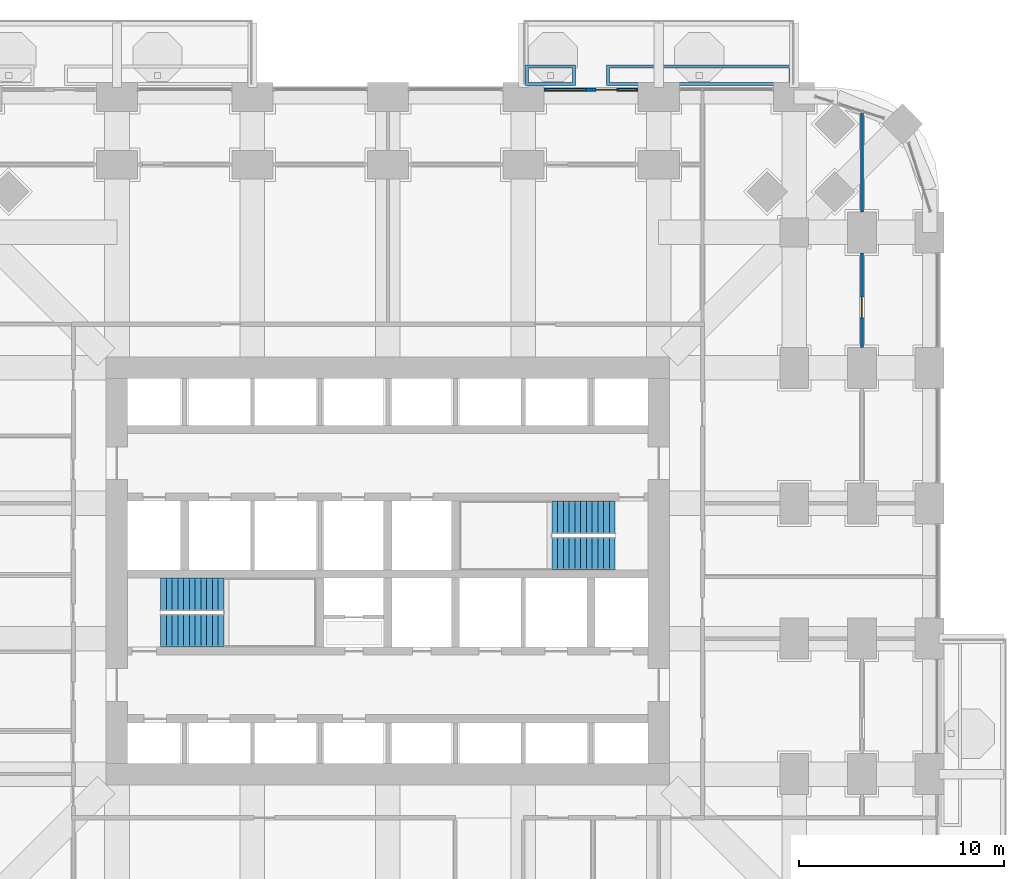
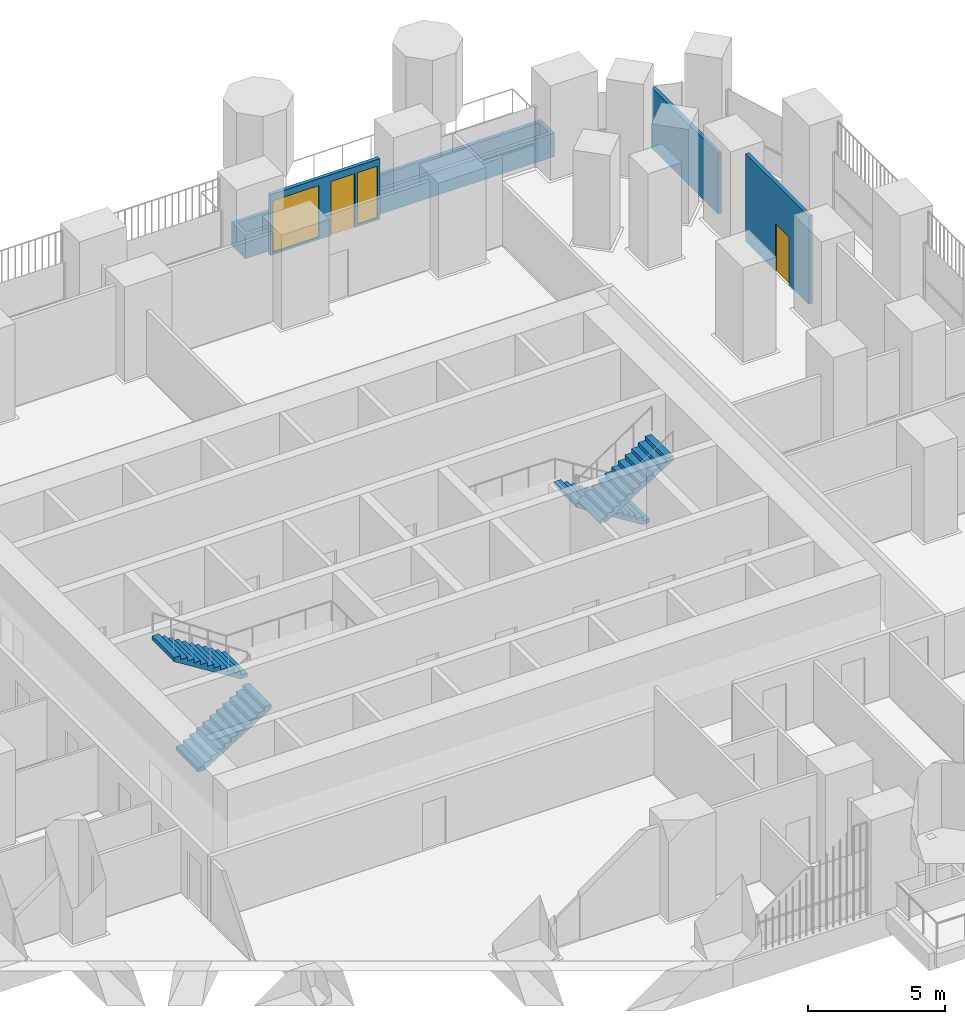
# One storey, part 20 of 25: 5 walls, 4 stair flights, 2 doors, 2 windows, 4 openings, 2 elements without a shape of their own.
"""IFC4 building model written with IfcOpenShell, lengths in metres."""

from ifc_helpers import new_model, si_unit, direction, frame, frame_2d, origin, place, context, subcontext, project, spatial, polyline, rectangle, outline, extrude, material, layer, layer_set, type_object, element, fill, aggregate, save


model = new_model("IFC4")

# Units and contexts
model_context = context("Model", 3, precision=1e-05, world=origin(), true_north=direction((0.0, 1.0)))
body_context = subcontext(model_context, "Body", "Model", "MODEL_VIEW")
ifc_project = project(units=[si_unit("LENGTHUNIT", "METRE"), si_unit("AREAUNIT", "SQUARE_METRE"), si_unit("VOLUMEUNIT", "CUBIC_METRE"), si_unit("PLANEANGLEUNIT", "RADIAN"), si_unit("MASSUNIT", "GRAM", prefix="KILO")], contexts=[model_context])

# Site, building, storey
site_placement = place(None, origin())
site = spatial("IfcSite", under=ifc_project, at=site_placement, CompositionType="ELEMENT")
building_placement = place(site_placement, origin())
building = spatial("IfcBuilding", under=site, at=building_placement, Name="Cobogo Forest Laboratory Tower", CompositionType="ELEMENT")
storey_placement = place(building_placement, frame((0.0, 0.0, 21.300048828125)))
storey = spatial("IfcBuildingStorey", under=building, at=storey_placement, Name="L04", CompositionType="ELEMENT", Elevation=21.300048828125)

# Wall, openings, door, windows
ifc_material_1 = material(Name="Aluminium framed glazed screen", Category="aluminium")
ifc_layer_1 = layer(ifc_material_1, 0.14990234375)
ifc_layer_set_1 = layer_set([ifc_layer_1], Name="GS1 glazed door screen 150")
wall_type_1 = type_object("IfcWallType", Name="GS1 glazed door screen 150", PredefinedType="SOLIDWALL", material=ifc_layer_set_1)
wall_1_placement = place(storey_placement, frame((38.60009765625, 46.550048828125, 0.0), z_axis=(0.0, 0.0, 1.0), x_axis=(-1.0, 0.0, 0.0)))
wall_1 = element("IfcWall", 1, at=wall_1_placement, inside=storey, type_object=wall_type_1, Name="Door screen BAL-N2 L04", PredefinedType="SOLIDWALL", context=body_context, shape_type="SweptSolid", body=[
    extrude(rectangle(XDim=4.60009765625, YDim=0.14990234375, at=frame_2d((2.300048828125, 0.0))), origin(), (0.0, 0.0, 1.0), 2.699951171875),
])
opening_1_placement = place(wall_1_placement, frame((1.050048828125, 0.0, 0.0)))
opening_1 = element("IfcOpeningElement", 2, at=opening_1_placement, cuts=wall_1, Name="Opening L04-D43", PredefinedType="OPENING", context=body_context, shape_type="SweptSolid", body=[
    extrude(rectangle(XDim=1.0, YDim=2.39990234375, at=frame_2d((0.5, 1.199951171875))), frame((0.0, 0.0849609375, 0.0), z_axis=(0.0, -1.0, 0.0), x_axis=(1.0, 0.0, 0.0)), (0.0, 0.0, 1.0), 0.169921875),
])
opening_2_placement = place(wall_1_placement, frame((0.10009765625, 0.0, 0.10009765625)))
opening_2 = element("IfcOpeningElement", 3, at=opening_2_placement, cuts=wall_1, Name="Opening L04-W12", PredefinedType="OPENING", context=body_context, shape_type="SweptSolid", body=[
    extrude(rectangle(XDim=0.85009765625, YDim=2.300048828125, at=frame_2d((0.425048828125, 1.14990234375))), frame((0.0, 0.0849609375, 0.0), z_axis=(0.0, -1.0, 0.0), x_axis=(1.0, 0.0, 0.0)), (0.0, 0.0, 1.0), 0.169921875),
])
opening_3_placement = place(wall_1_placement, frame((2.550048828125, 0.0, 0.10009765625)))
opening_3 = element("IfcOpeningElement", 4, at=opening_3_placement, cuts=wall_1, Name="Opening L04-W11", PredefinedType="OPENING", context=body_context, shape_type="SweptSolid", body=[
    extrude(rectangle(XDim=1.949951171875, YDim=2.300048828125, at=frame_2d((0.97509765625, 1.14990234375))), frame((0.0, 0.0849609375, 0.0), z_axis=(0.0, -1.0, 0.0), x_axis=(1.0, 0.0, 0.0)), (0.0, 0.0, 1.0), 0.169921875),
])
ifc_material_2 = material(Name="Aluminium glazed door", Category="aluminium")
door_type_1 = type_object("IfcDoorType", Name="DB1 balcony door 1000 glazed", OperationType="SINGLE_SWING_LEFT", PredefinedType="DOOR", material=ifc_material_2)
door_1_placement = place(opening_1_placement, origin())
door_1 = element("IfcDoor", 5, at=door_1_placement, inside=storey, type_object=door_type_1, Name="Door L04-BAL-N2", OperationType="SINGLE_SWING_LEFT", OverallHeight=2.39990234375, OverallWidth=1.0, PredefinedType="DOOR", context=body_context, shape_type="SweptSolid", body=[
    extrude(rectangle(XDim=1.0, YDim=2.39990234375, at=frame_2d((0.5, 1.199951171875))), frame((0.0, 0.02490234375, 0.0), z_axis=(0.0, -1.0, 0.0), x_axis=(1.0, 0.0, 0.0)), (0.0, 0.0, 1.0), 0.050048828125),
])
fill(opening_1, door_1)
ifc_material_3 = material(Name="Aluminium framed glazing", Category="aluminium")
window_type_1 = type_object("IfcWindowType", Name="WG1 fixed glazed light 1950x2300", PartitioningType="SINGLE_PANEL", PredefinedType="WINDOW", material=ifc_material_3)
window_1_placement = place(opening_3_placement, origin())
window_1 = element("IfcWindow", 6, at=window_1_placement, inside=storey, type_object=window_type_1, Name="Window L04-BAL-N2-2", OverallHeight=2.300048828125, OverallWidth=1.949951171875, PartitioningType="SINGLE_PANEL", PredefinedType="WINDOW", context=body_context, shape_type="SweptSolid", body=[
    extrude(rectangle(XDim=1.949951171875, YDim=2.300048828125, at=frame_2d((0.97509765625, 1.14990234375))), frame((0.0, 0.030029296875, 0.0), z_axis=(0.0, -1.0, 0.0), x_axis=(1.0, 0.0, 0.0)), (0.0, 0.0, 1.0), 0.06005859375),
])
fill(opening_3, window_1)
window_type_2 = type_object("IfcWindowType", Name="WG2 fixed glazed light 850x2300", PartitioningType="SINGLE_PANEL", PredefinedType="WINDOW", material=ifc_material_3)
window_2_placement = place(opening_2_placement, origin())
window_2 = element("IfcWindow", 7, at=window_2_placement, inside=storey, type_object=window_type_2, Name="Window L04-BAL-N2-1", OverallHeight=2.300048828125, OverallWidth=0.85009765625, PartitioningType="SINGLE_PANEL", PredefinedType="WINDOW", context=body_context, shape_type="SweptSolid", body=[
    extrude(rectangle(XDim=0.85009765625, YDim=2.300048828125, at=frame_2d((0.425048828125, 1.14990234375))), frame((0.0, 0.030029296875, 0.0), z_axis=(0.0, -1.0, 0.0), x_axis=(1.0, 0.0, 0.0)), (0.0, 0.0, 1.0), 0.06005859375),
])
fill(opening_2, window_2)

# Wall, opening, door
ifc_material_4 = material(Name="Gypsum board on steel studs", Category="steel")
ifc_layer_2 = layer(ifc_material_4, 0.14990234375)
ifc_layer_set_2 = layer_set([ifc_layer_2], Name="PT1 laboratory partition 150")
wall_type_2 = type_object("IfcWallType", Name="PT1 laboratory partition 150", PredefinedType="PARTITIONING", material=ifc_layer_set_2)
wall_2_placement = place(storey_placement, frame((49.5, 34.0, 0.0), z_axis=(0.0, 0.0, 1.0), x_axis=(0.0, 1.0, 0.0)))
wall_2 = element("IfcWall", 8, at=wall_2_placement, inside=storey, type_object=wall_type_2, Name="Partition STRIP-E-4 L04", PredefinedType="PARTITIONING", context=body_context, shape_type="SweptSolid", body=[
    extrude(rectangle(XDim=4.60009765625, YDim=0.14990234375, at=frame_2d((2.300048828125, 0.0))), origin(), (0.0, 0.0, 1.0), 3.89990234375),
])
opening_4_placement = place(wall_2_placement, frame((1.442138671875, 0.0, 0.0)))
opening_4 = element("IfcOpeningElement", 9, at=opening_4_placement, cuts=wall_2, Name="Opening L04-D39", PredefinedType="OPENING", context=body_context, shape_type="SweptSolid", body=[
    extrude(rectangle(XDim=1.0, YDim=2.10009765625, at=frame_2d((0.5, 1.050048828125))), frame((0.0, 0.0849609375, 0.0), z_axis=(0.0, -1.0, 0.0), x_axis=(1.0, 0.0, 0.0)), (0.0, 0.0, 1.0), 0.169921875),
])
ifc_material_5 = material(Name="Timber fire door", Category="wood")
door_type_2 = type_object("IfcDoorType", Name="FD2 fire door 1000 EI2 30", OperationType="SINGLE_SWING_LEFT", PredefinedType="DOOR", material=ifc_material_5)
door_2_placement = place(opening_4_placement, origin())
door_2 = element("IfcDoor", 10, at=door_2_placement, inside=storey, type_object=door_type_2, Name="Door L04-E2W", OperationType="SINGLE_SWING_LEFT", OverallHeight=2.10009765625, OverallWidth=1.0, PredefinedType="DOOR", context=body_context, shape_type="SweptSolid", body=[
    extrude(rectangle(XDim=1.0, YDim=2.10009765625, at=frame_2d((0.5, 1.050048828125))), frame((0.0, 0.02490234375, 0.0), z_axis=(0.0, -1.0, 0.0), x_axis=(1.0, 0.0, 0.0)), (0.0, 0.0, 1.0), 0.050048828125),
])
fill(opening_4, door_2)

# Walls
wall_3_placement = place(storey_placement, frame((49.5, 40.60009765625, 0.0), z_axis=(0.0, 0.0, 1.0), x_axis=(0.0, 1.0, 0.0)))
element("IfcWall", 11, at=wall_3_placement, inside=storey, type_object=wall_type_2, Name="Partition STRIP-E-5 L04", PredefinedType="PARTITIONING", context=body_context, shape_type="SweptSolid", body=[
    extrude(rectangle(XDim=4.823974609375, YDim=0.14990234375, at=frame_2d((2.412109375, 0.0))), origin(), (0.0, 0.0, 1.0), 2.699951171875),
])
ifc_material_6 = material(Name="Concrete HA-40 (C40/50)", Category="concrete")
ifc_layer_3 = layer(ifc_material_6, 0.14990234375)
ifc_layer_set_3 = layer_set([ifc_layer_3], Name="Planter box 1000x1050")
wall_type_3 = type_object("IfcWallType", Name="Planter box 1000x1050", PredefinedType="USERDEFINED", material=ifc_layer_set_3)
wall_4_placement = place(storey_placement, origin())
element("IfcWall", 12, at=wall_4_placement, inside=storey, type_object=wall_type_3, Name="Planter BAL-N2-1 L04", ObjectType="PLANTER", PredefinedType="USERDEFINED", context=body_context, shape_type="SweptSolid", body=[
    extrude(outline(polyline([(33.10009765625, 46.75), (35.550048828125, 46.75), (35.550048828125, 47.75), (33.10009765625, 47.75), (33.10009765625, 46.75)]), holes=[polyline([(33.25, 46.89990234375), (35.39990234375, 46.89990234375), (35.39990234375, 47.60009765625), (33.25, 47.60009765625), (33.25, 46.89990234375)])]), origin(), (0.0, 0.0, 1.0), 1.050048828125),
])
wall_5_placement = place(storey_placement, origin())
element("IfcWall", 13, at=wall_5_placement, inside=storey, type_object=wall_type_3, Name="Planter BAL-N2-2 L04", ObjectType="PLANTER", PredefinedType="USERDEFINED", context=body_context, shape_type="SweptSolid", body=[
    extrude(outline(polyline([(37.050048828125, 46.75), (46.10009765625, 46.75), (46.10009765625, 47.75), (37.050048828125, 47.75), (37.050048828125, 46.75)]), holes=[polyline([(37.199951171875, 46.89990234375), (45.949951171875, 46.89990234375), (45.949951171875, 47.60009765625), (37.199951171875, 47.60009765625), (37.199951171875, 46.89990234375)])]), origin(), (0.0, 0.0, 1.0), 1.050048828125),
])

# Stair, stair flights
ifc_material_7 = material(Name="Precast concrete HA-40 (C40/50)", Category="concrete")
stair_type = type_object("IfcStairType", Name="ST24 exit stair 24 risers", PredefinedType="HALF_TURN_STAIR", material=ifc_material_7)
stair_1_placement = place(storey_placement, origin())
stair_1 = element("IfcStair", 14, at=stair_1_placement, inside=storey, type_object=stair_type, Name="Stair 1 L04 to L05", PredefinedType="HALF_TURN_STAIR")
stair_flight_type = type_object("IfcStairFlightType", Name="ST stair flight 280 going", PredefinedType="STRAIGHT", material=ifc_material_7)
stair_flight_1_placement = place(storey_placement, frame((15.324951171875, 20.199951171875, 0.0), z_axis=(0.0, 0.0, 1.0), x_axis=(1.0, 0.0, 0.0)))
stair_flight_1 = element("IfcStairFlight", 15, at=stair_flight_1_placement, type_object=stair_flight_type, Name="ST1 flight 1", NumberOfRisers=12, NumberOfTreads=11, PredefinedType="STRAIGHT", RiserHeight=0.175, TreadLength=0.28, context=body_context, shape_type="SweptSolid", body=[
    extrude(outline(polyline([(0.0, 0.0), (0.0, 0.175048828125), (0.280029296875, 0.175048828125), (0.280029296875, 0.35009765625), (0.56005859375, 0.35009765625), (0.56005859375, 0.52490234375), (0.840087890625, 0.52490234375), (0.840087890625, 0.699951171875), (1.1201171875, 0.699951171875), (1.1201171875, 0.875), (1.39990234375, 0.875), (1.39990234375, 1.050048828125), (1.679931640625, 1.050048828125), (1.679931640625, 1.22509765625), (1.9599609375, 1.22509765625), (1.9599609375, 1.39990234375), (2.239990234375, 1.39990234375), (2.239990234375, 1.574951171875), (2.52001953125, 1.574951171875), (2.52001953125, 1.75), (2.800048828125, 1.75), (2.800048828125, 1.925048828125), (3.080078125, 1.925048828125), (3.080078125, 2.10009765625), (3.080078125, 1.748291015625), (0.28271484375, 0.0), (0.0, 0.0)])), frame((0.0, 0.800048828125, 0.0), z_axis=(0.0, -1.0, 0.0), x_axis=(1.0, 0.0, 0.0)), (0.0, 0.0, 1.0), 1.60009765625),
])
stair_flight_2_placement = place(storey_placement, frame((18.405029296875, 21.949951171875, 2.099853515625), z_axis=(0.0, 0.0, 1.0), x_axis=(-1.0, 0.0, 0.0)))
stair_flight_2 = element("IfcStairFlight", 16, at=stair_flight_2_placement, type_object=stair_flight_type, Name="ST1 flight 2", NumberOfRisers=12, NumberOfTreads=11, PredefinedType="STRAIGHT", RiserHeight=0.175, TreadLength=0.28, context=body_context, shape_type="SweptSolid", body=[
    extrude(outline(polyline([(0.0, 0.0), (0.0, 0.175048828125), (0.280029296875, 0.175048828125), (0.280029296875, 0.35009765625), (0.56005859375, 0.35009765625), (0.56005859375, 0.52490234375), (0.840087890625, 0.52490234375), (0.840087890625, 0.699951171875), (1.1201171875, 0.699951171875), (1.1201171875, 0.875), (1.39990234375, 0.875), (1.39990234375, 1.050048828125), (1.679931640625, 1.050048828125), (1.679931640625, 1.22509765625), (1.9599609375, 1.22509765625), (1.9599609375, 1.39990234375), (2.239990234375, 1.39990234375), (2.239990234375, 1.574951171875), (2.52001953125, 1.574951171875), (2.52001953125, 1.75), (2.800048828125, 1.75), (2.800048828125, 1.925048828125), (3.080078125, 1.925048828125), (3.080078125, 2.10009765625), (3.080078125, 1.748291015625), (0.28271484375, 0.0), (0.0, 0.0)])), frame((0.0, 0.800048828125, 0.0), z_axis=(0.0, -1.0, 0.0), x_axis=(1.0, 0.0, 0.0)), (0.0, 0.0, 1.0), 1.60009765625),
])
aggregate(stair_1, [stair_flight_1, stair_flight_2])

stair_2_placement = place(storey_placement, origin())
stair_2 = element("IfcStair", 17, at=stair_2_placement, inside=storey, type_object=stair_type, Name="Stair 2 L04 to L05", PredefinedType="HALF_TURN_STAIR")
stair_flight_3_placement = place(storey_placement, frame((37.47509765625, 25.699951171875, 0.0), z_axis=(0.0, 0.0, 1.0), x_axis=(-1.0, 0.0, 0.0)))
stair_flight_3 = element("IfcStairFlight", 18, at=stair_flight_3_placement, type_object=stair_flight_type, Name="ST2 flight 1", NumberOfRisers=12, NumberOfTreads=11, PredefinedType="STRAIGHT", RiserHeight=0.175, TreadLength=0.28, context=body_context, shape_type="SweptSolid", body=[
    extrude(outline(polyline([(0.0, 0.0), (0.0, 0.175048828125), (0.280029296875, 0.175048828125), (0.280029296875, 0.35009765625), (0.56005859375, 0.35009765625), (0.56005859375, 0.52490234375), (0.840087890625, 0.52490234375), (0.840087890625, 0.699951171875), (1.1201171875, 0.699951171875), (1.1201171875, 0.875), (1.39990234375, 0.875), (1.39990234375, 1.050048828125), (1.679931640625, 1.050048828125), (1.679931640625, 1.22509765625), (1.9599609375, 1.22509765625), (1.9599609375, 1.39990234375), (2.239990234375, 1.39990234375), (2.239990234375, 1.574951171875), (2.52001953125, 1.574951171875), (2.52001953125, 1.75), (2.800048828125, 1.75), (2.800048828125, 1.925048828125), (3.080078125, 1.925048828125), (3.080078125, 2.10009765625), (3.080078125, 1.748291015625), (0.28271484375, 0.0), (0.0, 0.0)])), frame((0.0, 0.800048828125, 0.0), z_axis=(0.0, -1.0, 0.0), x_axis=(1.0, 0.0, 0.0)), (0.0, 0.0, 1.0), 1.60009765625),
])
stair_flight_4_placement = place(storey_placement, frame((34.39501953125, 23.949951171875, 2.099853515625), z_axis=(0.0, 0.0, 1.0), x_axis=(1.0, 0.0, 0.0)))
stair_flight_4 = element("IfcStairFlight", 19, at=stair_flight_4_placement, type_object=stair_flight_type, Name="ST2 flight 2", NumberOfRisers=12, NumberOfTreads=11, PredefinedType="STRAIGHT", RiserHeight=0.175, TreadLength=0.28, context=body_context, shape_type="SweptSolid", body=[
    extrude(outline(polyline([(0.0, 0.0), (0.0, 0.175048828125), (0.280029296875, 0.175048828125), (0.280029296875, 0.35009765625), (0.56005859375, 0.35009765625), (0.56005859375, 0.52490234375), (0.840087890625, 0.52490234375), (0.840087890625, 0.699951171875), (1.1201171875, 0.699951171875), (1.1201171875, 0.875), (1.39990234375, 0.875), (1.39990234375, 1.050048828125), (1.679931640625, 1.050048828125), (1.679931640625, 1.22509765625), (1.9599609375, 1.22509765625), (1.9599609375, 1.39990234375), (2.239990234375, 1.39990234375), (2.239990234375, 1.574951171875), (2.52001953125, 1.574951171875), (2.52001953125, 1.75), (2.800048828125, 1.75), (2.800048828125, 1.925048828125), (3.080078125, 1.925048828125), (3.080078125, 2.10009765625), (3.080078125, 1.748291015625), (0.28271484375, 0.0), (0.0, 0.0)])), frame((0.0, 0.800048828125, 0.0), z_axis=(0.0, -1.0, 0.0), x_axis=(1.0, 0.0, 0.0)), (0.0, 0.0, 1.0), 1.60009765625),
])
aggregate(stair_2, [stair_flight_3, stair_flight_4])

save(model, "model.ifc")
